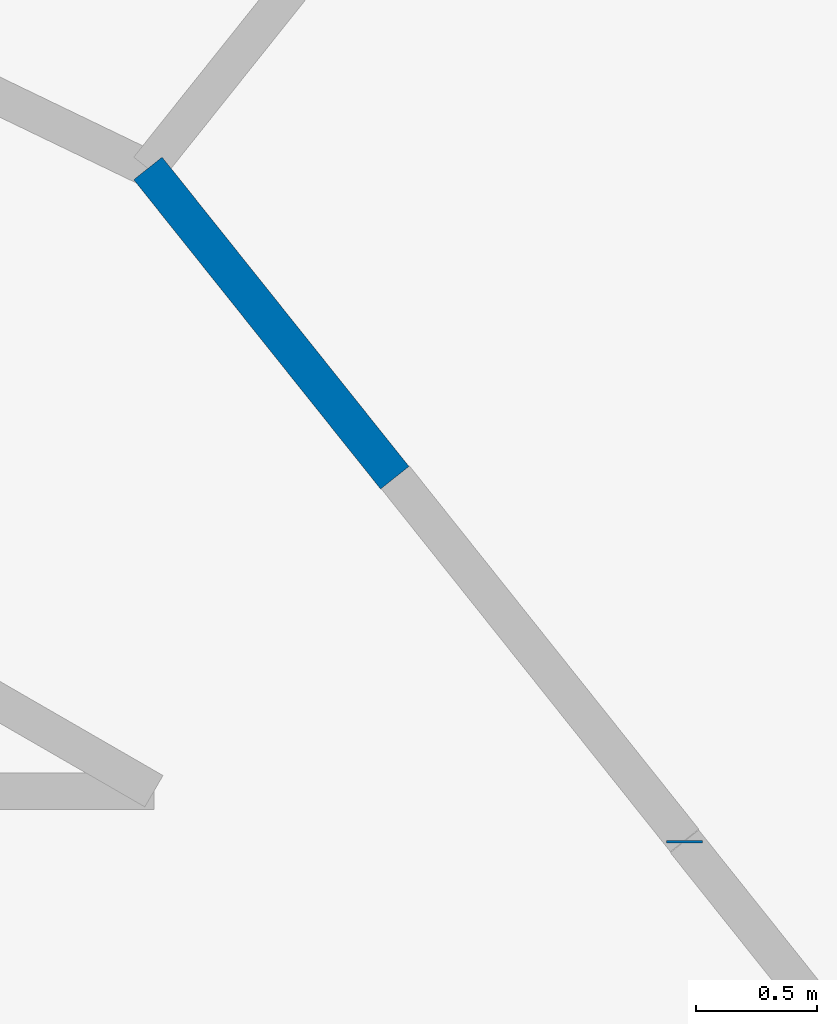
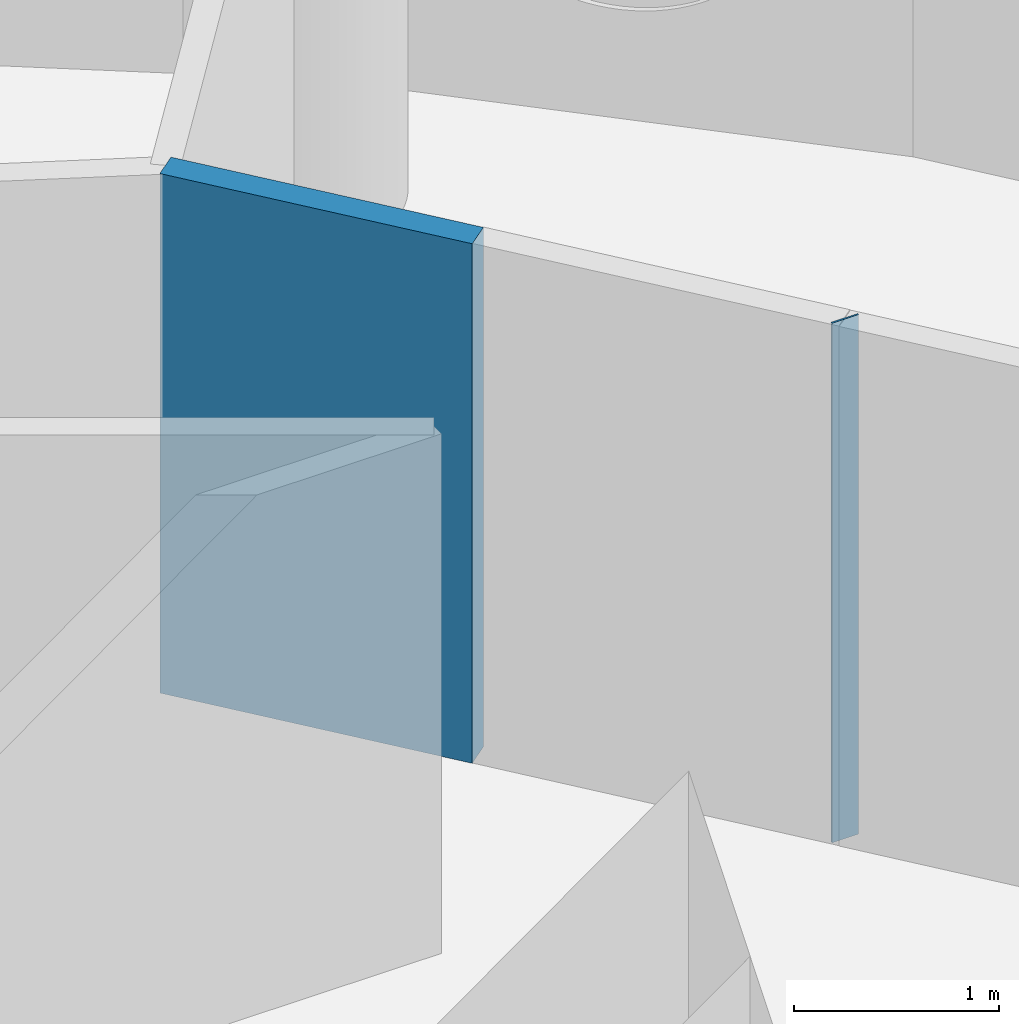
# One storey, part 9 of 13: 2 walls.
"""IFC4 building model written with IfcOpenShell, lengths in metres."""

import ifcopenshell
import ifcopenshell.guid

model = None  # the IFC model being written
_history = None  # IfcOwnerHistory: only IFC2X3 demands one
_inside = {}  # id of a spatial element -> (the spatial element, [elements in it])
_under = {}  # id of a project, library or spatial element -> (it, [spatial elements below it])
_declared = {}  # id of a project -> (the project, [libraries it declares])
_typed = {}  # id of a type object -> (the type object, [elements of that type])
_made_of = {}  # id of a material, layer set ... -> (it, [elements and type objects made of it])


def new_model(schema):
    """Start an empty IFC model of exactly this schema.

    Asked for "IFC4X3", IfcOpenShell would pick the latest addendum, in which some entities
    have other attributes; the version numbers below select the first issue.
    IFC2X3 requires an IfcOwnerHistory on every rooted entity: one is made here for all.
    """
    global model, _history
    if schema == "IFC4X3":
        model = ifcopenshell.file(schema_version=(4, 3, 0, 0))
    else:
        model = ifcopenshell.file(schema=schema)
    _inside.clear()
    _under.clear()
    _declared.clear()
    _typed.clear()
    _made_of.clear()
    _history = None
    if model.schema == "IFC2X3":
        org = make("IfcOrganization", Name="unknown")
        user = make(
            "IfcPersonAndOrganization",
            ThePerson=make("IfcPerson", FamilyName="unknown"),
            TheOrganization=org,
        )
        app = make(
            "IfcApplication",
            ApplicationDeveloper=org,
            Version="unknown",
            ApplicationFullName="unknown",
            ApplicationIdentifier="unknown",
        )
        _history = make(
            "IfcOwnerHistory",
            OwningUser=user,
            OwningApplication=app,
            ChangeAction="ADDED",
            CreationDate=0,
        )
    return model


def make(cls, **values):
    """One entity of the class cls with the attributes given. An attribute that is None is left unset."""
    return model.create_entity(
        cls, **{name: value for name, value in values.items() if value is not None}
    )


def rooted(cls, **values):
    """An entity with a GlobalId (a new one), such as an element, a storey or a relation."""
    return make(cls, GlobalId=ifcopenshell.guid.new(), OwnerHistory=_history, **values)


def si_unit(unit_type, name, prefix=None):
    """IfcSIUnit, for example si_unit("LENGTHUNIT", "METRE", prefix="MILLI")."""
    return make("IfcSIUnit", UnitType=unit_type, Prefix=prefix, Name=name)


def assignment(units):
    """IfcUnitAssignment: the units of a project."""
    return None if units is None else make("IfcUnitAssignment", Units=units)


def point(xyz):
    """IfcCartesianPoint."""
    return None if xyz is None else make("IfcCartesianPoint", Coordinates=xyz)


def direction(xyz):
    """IfcDirection."""
    return None if xyz is None else make("IfcDirection", DirectionRatios=xyz)


def frame(location, z_axis=None, x_axis=None):
    """IfcAxis2Placement3D, a coordinate frame: its origin and axes. An axis left out is left unset."""
    return make(
        "IfcAxis2Placement3D",
        Location=point(location),
        Axis=direction(z_axis),
        RefDirection=direction(x_axis),
    )


def frame_2d(location, x_axis=None):
    """IfcAxis2Placement2D, a coordinate frame in the plane: its origin and x axis."""
    return make(
        "IfcAxis2Placement2D", Location=point(location), RefDirection=direction(x_axis)
    )


def origin():
    """The frame at (0, 0, 0) with its axes left unset."""
    return frame((0.0, 0.0, 0.0))


def place(relative_to, where):
    """IfcLocalPlacement: puts the frame where relative to a parent placement (None: the world)."""
    return make(
        "IfcLocalPlacement", PlacementRelTo=relative_to, RelativePlacement=where
    )


def context(
    kind, dimensions, precision=None, world=None, true_north=None, identifier=None
):
    """IfcGeometricRepresentationContext, for example the 3D "Model" context."""
    return make(
        "IfcGeometricRepresentationContext",
        ContextIdentifier=identifier,
        ContextType=kind,
        CoordinateSpaceDimension=dimensions,
        Precision=precision,
        WorldCoordinateSystem=world,
        TrueNorth=true_north,
    )


def subcontext(parent, identifier, kind, view, scale=None):
    """IfcGeometricRepresentationSubContext, for example "Body" below "Model"."""
    return make(
        "IfcGeometricRepresentationSubContext",
        ContextIdentifier=identifier,
        ContextType=kind,
        ParentContext=parent,
        TargetScale=scale,
        TargetView=view,
    )


def project(units=None, contexts=None):
    """IfcProject with its units and contexts."""
    return rooted(
        "IfcProject",
        Name="project",
        RepresentationContexts=contexts,
        UnitsInContext=assignment(units),
    )


def spatial(cls, under=None, at=None, **own):
    """A site, building, storey or space (cls), placed at a placement, below another one or the project."""
    s = rooted(cls, ObjectPlacement=at, **own)
    if under is not None:
        _under.setdefault(under.id(), (under, []))[1].append(s)
    return s


def profile(cls, at=None, kind="AREA", **sizes):
    """A parametric profile (cls). Its sizes go by their IFC names, for example OverallWidth=200.0."""
    return make(cls, ProfileType=kind, Position=at, **sizes)


def rectangle(**sizes):
    """IfcRectangleProfileDef."""
    return profile("IfcRectangleProfileDef", **sizes)


def extrude(swept, where, along, depth):
    """IfcExtrudedAreaSolid: the profile swept, set in the frame where, extruded along a direction by depth."""
    return make(
        "IfcExtrudedAreaSolid",
        SweptArea=swept,
        Position=where,
        ExtrudedDirection=direction(along),
        Depth=depth,
    )


def shape(context_of_items, identifier, shape_type, items):
    """IfcShapeRepresentation: the items that make up one representation, for example the "Body"."""
    return make(
        "IfcShapeRepresentation",
        ContextOfItems=context_of_items,
        RepresentationIdentifier=identifier,
        RepresentationType=shape_type,
        Items=items,
    )


def material(Name=None, Category=None):
    """IfcMaterial."""
    return make("IfcMaterial", Name=Name, Category=Category)


def layer(
    of_material, thickness, ventilated=None, Name=None, Category=None, Priority=None
):
    """IfcMaterialLayer: one layer of a wall or slab, of a material (None: an air gap)."""
    return make(
        "IfcMaterialLayer",
        Material=of_material,
        LayerThickness=thickness,
        IsVentilated=ventilated,
        Name=Name,
        Category=Category,
        Priority=Priority,
    )


def layer_set(layers, Name=None):
    """IfcMaterialLayerSet."""
    return make("IfcMaterialLayerSet", MaterialLayers=layers, LayerSetName=Name)


def made_of(thing, what):
    """Note that an element or type object is made of a material, layer set ...; save() writes the relation."""
    if what is not None:
        _made_of.setdefault(what.id(), (what, []))[1].append(thing)
    return thing


def type_object(cls, material=None, **own):
    """A type object (cls), such as IfcWallType, which elements share."""
    return made_of(rooted(cls, **own), material)


def element(
    cls,
    number,
    at=None,
    inside=None,
    cuts=None,
    type_object=None,
    material=None,
    context=None,
    identifier="Body",
    shape_type=None,
    held_by="IfcProductDefinitionShape",
    body=None,
    shapes=None,
    **own,
):
    """One element of the class cls, such as IfcWall. Its Tag is "e" and its number.

    at: its placement. inside: the storey or other place that contains it. cuts: it is an
    opening in that element (IfcRelVoidsElement). A single representation is given by context,
    identifier, shape_type and body (its items); several are given by shapes. held_by: the class
    of the entity that holds the representations. save() writes the other relations.
    """
    e = rooted(cls, Tag="e%d" % number, ObjectPlacement=at, **own)
    if body is not None:
        shapes = [shape(context, identifier, shape_type, body)]
    if shapes is not None:
        e.Representation = make(held_by, Representations=shapes)
    if inside is not None:
        _inside.setdefault(inside.id(), (inside, []))[1].append(e)
    if cuts is not None:
        rooted(
            "IfcRelVoidsElement", RelatingBuildingElement=cuts, RelatedOpeningElement=e
        )
    if type_object is not None:
        _typed.setdefault(type_object.id(), (type_object, []))[1].append(e)
    return made_of(e, material)


def aggregate(whole, parts):
    """IfcRelAggregates: a whole, such as a stair, and the parts it consists of."""
    return rooted("IfcRelAggregates", RelatingObject=whole, RelatedObjects=parts)


def save(model, path):
    """Write the relations noted so far, then the file.

    IfcRelAggregates (storeys below a building ...), IfcRelContainedInSpatialStructure (elements
    in a storey), IfcRelDefinesByType, IfcRelAssociatesMaterial and IfcRelDeclares: one each for
    every whole, place, type object, material and project.
    """
    for whole, parts in _under.values():
        aggregate(whole, parts)
    for where, things in _inside.values():
        rooted(
            "IfcRelContainedInSpatialStructure",
            RelatedElements=things,
            RelatingStructure=where,
        )
    for kind, things in _typed.values():
        rooted("IfcRelDefinesByType", RelatedObjects=things, RelatingType=kind)
    for what, things in _made_of.values():
        rooted("IfcRelAssociatesMaterial", RelatedObjects=things, RelatingMaterial=what)
    for by, libraries in _declared.values():
        rooted("IfcRelDeclares", RelatingContext=by, RelatedDefinitions=libraries)
    model.write(path)


model = new_model("IFC4")

# Units and contexts
model_context = context("Model", 3, precision=1e-05, world=origin(), true_north=direction((0.0, 1.0)))
body_context = subcontext(model_context, "Body", "Model", "MODEL_VIEW")
ifc_project = project(units=[si_unit("LENGTHUNIT", "METRE"), si_unit("AREAUNIT", "SQUARE_METRE"), si_unit("VOLUMEUNIT", "CUBIC_METRE"), si_unit("PLANEANGLEUNIT", "RADIAN"), si_unit("MASSUNIT", "GRAM", prefix="KILO")], contexts=[model_context])

# Site, building, storey
site_placement = place(None, origin())
site = spatial("IfcSite", under=ifc_project, at=site_placement, CompositionType="ELEMENT")
building_placement = place(site_placement, origin())
building = spatial("IfcBuilding", under=site, at=building_placement, Name="Tracery Tower", CompositionType="ELEMENT")
storey_placement = place(building_placement, frame((0.0, 0.0, 270.60009765625)))
storey = spatial("IfcBuildingStorey", under=building, at=storey_placement, Name="L70", CompositionType="ELEMENT", Elevation=270.60009765625)

# Walls
ifc_material = material(Name="Plasterboard on steel studs", Category="steel")
ifc_layer = layer(ifc_material, 0.14990234375)
ifc_layer_set = layer_set([ifc_layer], Name="Partition 150 corridor wall")
wall_type = type_object("IfcWallType", Name="Partition 150 corridor wall", PredefinedType="PARTITIONING", material=ifc_layer_set)
wall_1_placement = place(storey_placement, frame((11.300048828125, 8.5859375, 0.0), z_axis=(0.0, 0.0, 1.0), x_axis=(0.0, 1.0, 0.0)))
element("IfcWall", 1, at=wall_1_placement, inside=storey, type_object=wall_type, Name="Corridor wall RC5-006", PredefinedType="PARTITIONING", context=body_context, shape_type="SweptSolid", body=[
    extrude(rectangle(XDim=0.01025390625, YDim=0.14990234375, at=frame_2d((0.005126953125, 0.0))), origin(), (0.0, 0.0, 1.0), 3.099853515625),
])
wall_2_placement = place(storey_placement, frame((9.075927734375, 11.381103515625, 0.0), z_axis=(0.0, 0.0, 1.0), x_axis=(0.623805208652, -0.781579849829, 0.0)))
element("IfcWall", 2, at=wall_2_placement, inside=storey, type_object=wall_type, Name="Corridor wall RC5-026", PredefinedType="PARTITIONING", context=body_context, shape_type="SweptSolid", body=[
    extrude(rectangle(XDim=1.64013671875, YDim=0.14990234375, at=frame_2d((0.820068359375, 0.0))), origin(), (0.0, 0.0, 1.0), 3.099853515625),
])

save(model, "model.ifc")
